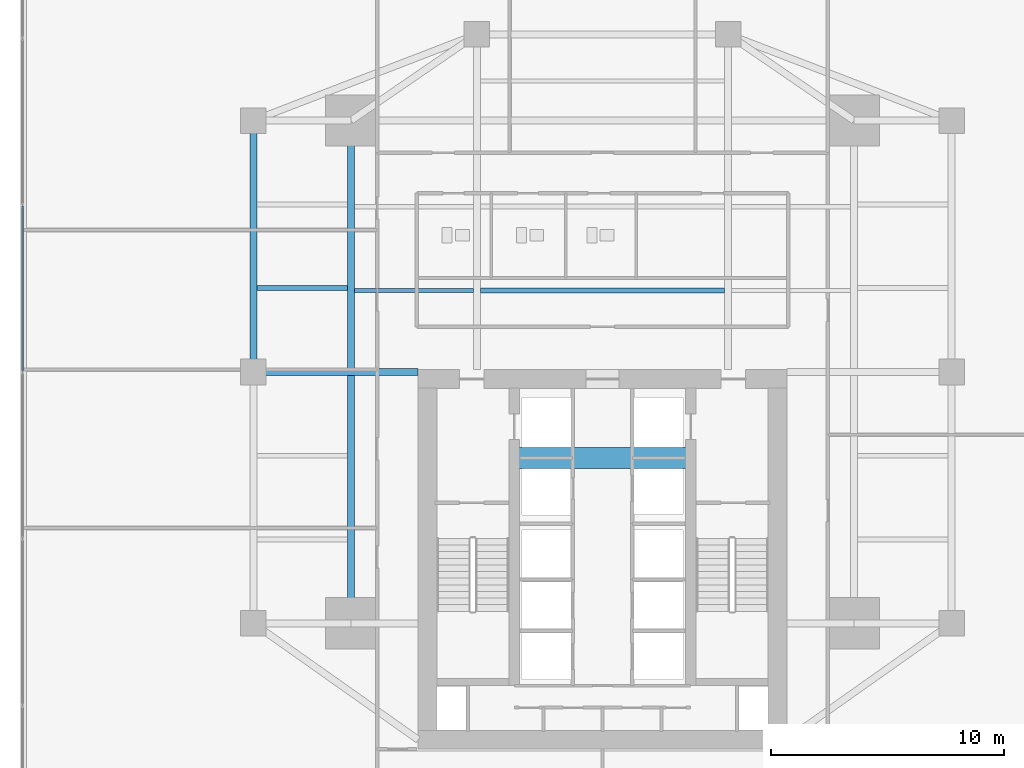
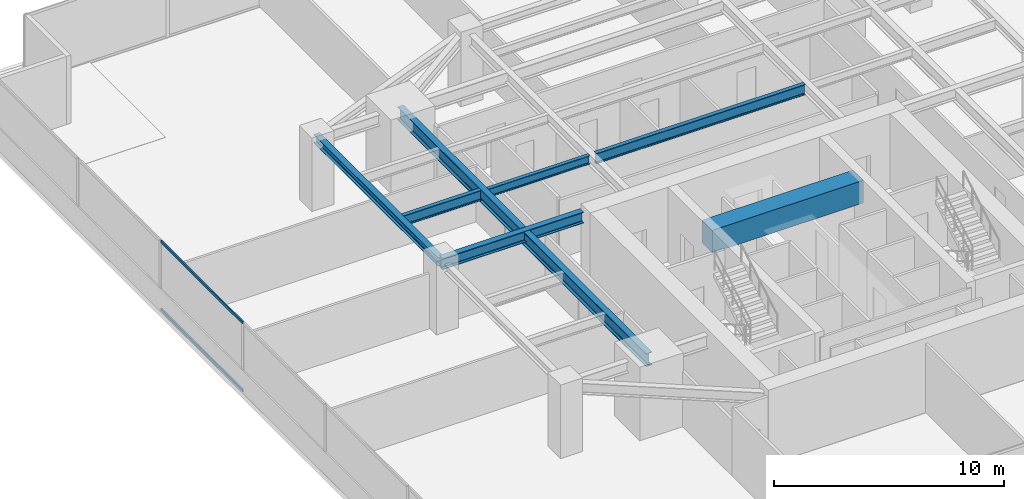
# One storey, part 9 of 30: 7 beams, 2 members, 1 element without a shape of its own.
"""IFC4 building model written with IfcOpenShell, lengths in metres."""

from ifc_helpers import new_model, si_unit, direction, frame, origin, origin_2d, place, context, subcontext, project, spatial, rectangle, hollow_rectangle, i_section, extrude, source, transform, mapped, material, material_profile, profile_set, type_object, type_shapes, element, aggregate, save


model = new_model("IFC4")

# Units and contexts
model_context = context("Model", 3, precision=1e-05, world=origin(), true_north=direction((0.0, 1.0)))
body_context = subcontext(model_context, "Body", "Model", "MODEL_VIEW")
ifc_project = project(units=[si_unit("LENGTHUNIT", "METRE"), si_unit("AREAUNIT", "SQUARE_METRE"), si_unit("VOLUMEUNIT", "CUBIC_METRE"), si_unit("PLANEANGLEUNIT", "RADIAN"), si_unit("MASSUNIT", "GRAM", prefix="KILO")], contexts=[model_context])

# Site, building, storey
site_placement = place(None, origin())
site = spatial("IfcSite", under=ifc_project, at=site_placement, CompositionType="ELEMENT")
building_placement = place(site_placement, origin())
building = spatial("IfcBuilding", under=site, at=building_placement, Name="Krantzveldt Concourse Tower", CompositionType="ELEMENT")
storey_placement = place(building_placement, frame((0.0, 0.0, 25.0)))
storey = spatial("IfcBuildingStorey", under=building, at=storey_placement, Name="L05", CompositionType="ELEMENT", Elevation=25.0)

# Beams
ifc_material_1 = material(Name="Concrete C50/60", Category="concrete")
ifc_material_profile_1 = material_profile(ifc_material_1, rectangle(XDim=0.89990234375, YDim=1.199951171875, at=origin_2d()), Name="Concrete C50/60", Category="concrete")
ifc_profile_set_1 = profile_set([ifc_material_profile_1], Name="Concrete C50/60 - RC-CB 900x1200")
beam_type_1 = type_object("IfcBeamType", Name="BM-CB-1200", PredefinedType="LINTEL", material=ifc_profile_set_1)
shared_shape_1 = source(origin(), body_context, "Body", "SweptSolid", [
    extrude(rectangle(XDim=0.89990234375, YDim=1.199951171875, at=origin_2d()), origin(), (0.0, 0.0, 1.0), 7.580078125),
])
type_shapes(beam_type_1, [shared_shape_1])
beam_1_placement = place(storey_placement, frame((32.2099609375, 23.0, 3.070068359375), z_axis=(1.0, 0.0, 0.0), x_axis=(0.0, 1.0, 0.0)))
element("IfcBeam", 1, at=beam_1_placement, inside=storey, type_object=beam_type_1, Name="CB-L05-01", PredefinedType="LINTEL", context=body_context, shape_type="MappedRepresentation", body=[
    mapped(shared_shape_1, transform((0.0, 0.0, 0.0), x_axis=(1.0, 0.0, 0.0), y_axis=(0.0, 1.0, 0.0), z_axis=(0.0, 0.0, 1.0), scale=1.0)),
])
ifc_material_2 = material(Name="Steel S355J2", Category="steel")
ifc_material_profile_2 = material_profile(ifc_material_2, i_section(OverallWidth=0.300048828125, OverallDepth=0.699951171875, WebThickness=0.01708984375, FlangeThickness=0.031982421875, FilletRadius=0.027099609375, at=origin_2d()), Name="Steel S355J2", Category="steel")
ifc_profile_set_2 = profile_set([ifc_material_profile_2], Name="Steel S355J2 - HEB 700")
beam_type_2 = type_object("IfcBeamType", Name="BM-B-HEB700", PredefinedType="BEAM", material=ifc_profile_set_2)
shared_shape_2 = source(origin(), body_context, "Body", "SweptSolid", [
    extrude(i_section(OverallWidth=0.300048828125, OverallDepth=0.699951171875, WebThickness=0.01708984375, FlangeThickness=0.031982421875, FilletRadius=0.027099609375, at=origin_2d()), origin(), (0.0, 0.0, 1.0), 21.60009765625),
])
type_shapes(beam_type_2, [shared_shape_2])
beam_2_placement = place(storey_placement, frame((25.199951171875, 15.89990234375, 3.320068359375), z_axis=(0.0, 1.0, 0.0), x_axis=(-1.0, 0.0, 0.0)))
element("IfcBeam", 2, at=beam_2_placement, inside=storey, type_object=beam_type_2, Name="L05 Tower Girder BG-MW", PredefinedType="BEAM", context=body_context, shape_type="MappedRepresentation", body=[
    mapped(shared_shape_2, transform((0.0, 0.0, 0.0), x_axis=(1.0, 0.0, 0.0), y_axis=(0.0, 1.0, 0.0), z_axis=(0.0, 0.0, 1.0), scale=1.0)),
])
ifc_material_3 = material(Name="Steel S355JR", Category="steel")
ifc_material_profile_3 = material_profile(ifc_material_3, i_section(OverallWidth=0.300048828125, OverallDepth=0.590087890625, WebThickness=0.012939453125, FlangeThickness=0.02490234375, FilletRadius=0.027099609375, at=origin_2d()), Name="Steel S355JR", Category="steel")
ifc_profile_set_3 = profile_set([ifc_material_profile_3], Name="Steel S355JR - HEA 600")
beam_type_3 = type_object("IfcBeamType", Name="BM-B-HEA600", PredefinedType="BEAM", material=ifc_profile_set_3)
shared_shape_3 = source(origin(), body_context, "Body", "SweptSolid", [
    extrude(i_section(OverallWidth=0.300048828125, OverallDepth=0.590087890625, WebThickness=0.012939453125, FlangeThickness=0.02490234375, FilletRadius=0.027099609375, at=origin_2d()), origin(), (0.0, 0.0, 1.0), 7.080078125),
])
type_shapes(beam_type_3, [shared_shape_3])
beam_3_placement = place(storey_placement, frame((21.0, 26.699951171875, 3.375), z_axis=(1.0, 0.0, 0.0), x_axis=(0.0, 1.0, 0.0)))
element("IfcBeam", 3, at=beam_3_placement, inside=storey, type_object=beam_type_3, Name="L05 Tower Girder BG-CW2", PredefinedType="BEAM", context=body_context, shape_type="MappedRepresentation", body=[
    mapped(shared_shape_3, transform((0.0, 0.0, 0.0), x_axis=(1.0, 0.0, 0.0), y_axis=(0.0, 1.0, 0.0), z_axis=(0.0, 0.0, 1.0), scale=1.0)),
])
ifc_material_profile_4 = material_profile(ifc_material_3, i_section(OverallWidth=0.300048828125, OverallDepth=0.43994140625, WebThickness=0.011474609375, FlangeThickness=0.02099609375, FilletRadius=0.027099609375, at=origin_2d()), Name="Steel S355JR", Category="steel")
ifc_profile_set_4 = profile_set([ifc_material_profile_4], Name="Steel S355JR - HEA 450")
beam_type_4 = type_object("IfcBeamType", Name="BM-SP-HEA450", PredefinedType="SPANDREL", material=ifc_profile_set_4)
shared_shape_4 = source(origin(), body_context, "Body", "SweptSolid", [
    extrude(i_section(OverallWidth=0.300048828125, OverallDepth=0.43994140625, WebThickness=0.011474609375, FlangeThickness=0.02099609375, FilletRadius=0.027099609375, at=origin_2d()), origin(), (0.0, 0.0, 1.0), 10.800048828125),
])
type_shapes(beam_type_4, [shared_shape_4])
beam_4_placement = place(storey_placement, frame((21.0, 26.699951171875, 3.449951171875), z_axis=(0.0, 1.0, 0.0), x_axis=(-1.0, 0.0, 0.0)))
element("IfcBeam", 4, at=beam_4_placement, inside=storey, type_object=beam_type_4, Name="L05 Tower Girder SP-R02", PredefinedType="SPANDREL", context=body_context, shape_type="MappedRepresentation", body=[
    mapped(shared_shape_4, transform((0.0, 0.0, 0.0), x_axis=(1.0, 0.0, 0.0), y_axis=(0.0, 1.0, 0.0), z_axis=(0.0, 0.0, 1.0), scale=1.0)),
])
ifc_material_profile_5 = material_profile(ifc_material_3, i_section(OverallWidth=0.2099609375, OverallDepth=0.550048828125, WebThickness=0.010986328125, FlangeThickness=0.01708984375, FilletRadius=0.02392578125, at=origin_2d()), Name="Steel S355JR", Category="steel")
ifc_profile_set_5 = profile_set([ifc_material_profile_5], Name="Steel S355JR - IPE 550")
beam_type_5 = type_object("IfcBeamType", Name="BM-J-IPE550", PredefinedType="JOIST", material=ifc_profile_set_5)
shared_shape_5 = source(origin(), body_context, "Body", "SweptSolid", [
    extrude(i_section(OverallWidth=0.2099609375, OverallDepth=0.550048828125, WebThickness=0.010986328125, FlangeThickness=0.01708984375, FilletRadius=0.02392578125, at=origin_2d()), origin(), (0.0, 0.0, 1.0), 10.5),
])
beam_5_placement = place(storey_placement, frame((30.75, 30.199951171875, 3.39501953125), z_axis=(1.0, 0.0, 0.0), x_axis=(0.0, 1.0, 0.0)))
element("IfcBeam", 5, at=beam_5_placement, inside=storey, type_object=beam_type_5, Name="L05 Secondary Floor Joist JN-C1", PredefinedType="JOIST", context=body_context, shape_type="MappedRepresentation", body=[
    mapped(shared_shape_5, transform((0.0, 0.0, 0.0), x_axis=(1.0, 0.0, 0.0), y_axis=(0.0, 1.0, 0.0), z_axis=(0.0, 0.0, 1.0), scale=1.0)),
])
ifc_material_profile_6 = material_profile(ifc_material_3, i_section(OverallWidth=0.18994140625, OverallDepth=0.449951171875, WebThickness=0.009521484375, FlangeThickness=0.0146484375, FilletRadius=0.02099609375, at=origin_2d()), Name="Steel S355JR", Category="steel")
ifc_profile_set_6 = profile_set([ifc_material_profile_6], Name="Steel S355JR - IPE 450")
beam_type_6 = type_object("IfcBeamType", Name="BM-J-IPE450", PredefinedType="JOIST", material=ifc_profile_set_6)
shared_shape_6 = source(origin(), body_context, "Body", "SweptSolid", [
    extrude(i_section(OverallWidth=0.18994140625, OverallDepth=0.449951171875, WebThickness=0.009521484375, FlangeThickness=0.0146484375, FilletRadius=0.02099609375, at=origin_2d()), origin(), (0.0, 0.0, 1.0), 5.099853515625),
])
type_shapes(beam_type_6, [shared_shape_6])
beam_6_placement = place(storey_placement, frame((25.35009765625, 30.199951171875, 3.445068359375), z_axis=(1.0, 0.0, 0.0), x_axis=(0.0, 1.0, 0.0)))
element("IfcBeam", 6, at=beam_6_placement, inside=storey, type_object=beam_type_6, Name="L05 Secondary Floor Joist JN-W1", PredefinedType="JOIST", context=body_context, shape_type="MappedRepresentation", body=[
    mapped(shared_shape_6, transform((0.0, 0.0, 0.0), x_axis=(1.0, 0.0, 0.0), y_axis=(0.0, 1.0, 0.0), z_axis=(0.0, 0.0, 1.0), scale=1.0)),
])
shared_shape_7 = source(origin(), body_context, "Body", "SweptSolid", [
    extrude(i_section(OverallWidth=0.2099609375, OverallDepth=0.550048828125, WebThickness=0.010986328125, FlangeThickness=0.01708984375, FilletRadius=0.02392578125, at=origin_2d()), origin(), (0.0, 0.0, 1.0), 3.900146484375),
])
type_shapes(beam_type_5, [shared_shape_5, shared_shape_7])
beam_7_placement = place(storey_placement, frame((21.14990234375, 30.300048828125, 3.39501953125), z_axis=(1.0, 0.0, 0.0), x_axis=(0.0, 1.0, 0.0)))
element("IfcBeam", 7, at=beam_7_placement, inside=storey, type_object=beam_type_5, Name="L05 Secondary Floor Joist JW-3", PredefinedType="JOIST", context=body_context, shape_type="MappedRepresentation", body=[
    mapped(shared_shape_7, transform((0.0, 0.0, 0.0), x_axis=(1.0, 0.0, 0.0), y_axis=(0.0, 1.0, 0.0), z_axis=(0.0, 0.0, 1.0), scale=1.0)),
])

# Curtain wall, members
ifc_material_4 = material(Name="Anodised aluminium 6063-T6", Category="aluminium")
curtain_wall_type = type_object("IfcCurtainWallType", Name="CW2", PredefinedType="USERDEFINED", material=ifc_material_4)
curtain_wall_placement = place(storey_placement, origin())
curtain_wall = element("IfcCurtainWall", 8, at=curtain_wall_placement, inside=storey, type_object=curtain_wall_type, Name="CW-L05-F01", ObjectType="UNITISED CURTAIN WALL", PredefinedType="USERDEFINED")
ifc_material_profile_7 = material_profile(ifc_material_4, hollow_rectangle(XDim=0.070068359375, YDim=0.139892578125, WallThickness=0.0048828125, at=origin_2d()), Name="Anodised aluminium 6063-T6", Category="aluminium")
ifc_profile_set_7 = profile_set([ifc_material_profile_7], Name="Anodised aluminium 6063-T6 - ALU-TRAN 140x70x5")
member_type = type_object("IfcMemberType", Name="CW-TRN-150", PredefinedType="USERDEFINED", material=ifc_profile_set_7)
shared_shape_8 = source(origin(), body_context, "Body", "SweptSolid", [
    extrude(hollow_rectangle(XDim=0.070068359375, YDim=0.139892578125, WallThickness=0.0048828125, at=origin_2d()), origin(), (0.0, 0.0, 1.0), 7.0966796875),
])
type_shapes(member_type, [shared_shape_8])
member_1_placement = place(storey_placement, frame((11.090087890625, 33.831787109375, 0.034912109375), z_axis=(0.0, -1.0, 0.0), x_axis=(1.0, 0.0, 0.0)))
member_1 = element("IfcMember", 9, at=member_1_placement, type_object=member_type, Name="CW-Z12 transom 3.1", ObjectType="TRANSOM", PredefinedType="USERDEFINED", context=body_context, shape_type="MappedRepresentation", body=[
    mapped(shared_shape_8, transform((0.0, 0.0, 0.0), x_axis=(1.0, 0.0, 0.0), y_axis=(0.0, 1.0, 0.0), z_axis=(0.0, 0.0, 1.0), scale=1.0)),
])
member_2_placement = place(storey_placement, frame((11.090087890625, 33.831787109375, 3.635009765625), z_axis=(0.0, -1.0, 0.0), x_axis=(1.0, 0.0, 0.0)))
member_2 = element("IfcMember", 10, at=member_2_placement, type_object=member_type, Name="CW-Z12 transom 3.2", ObjectType="TRANSOM", PredefinedType="USERDEFINED", context=body_context, shape_type="MappedRepresentation", body=[
    mapped(shared_shape_8, transform((0.0, 0.0, 0.0), x_axis=(1.0, 0.0, 0.0), y_axis=(0.0, 1.0, 0.0), z_axis=(0.0, 0.0, 1.0), scale=1.0)),
])
aggregate(curtain_wall, [member_1, member_2])

save(model, "model.ifc")
